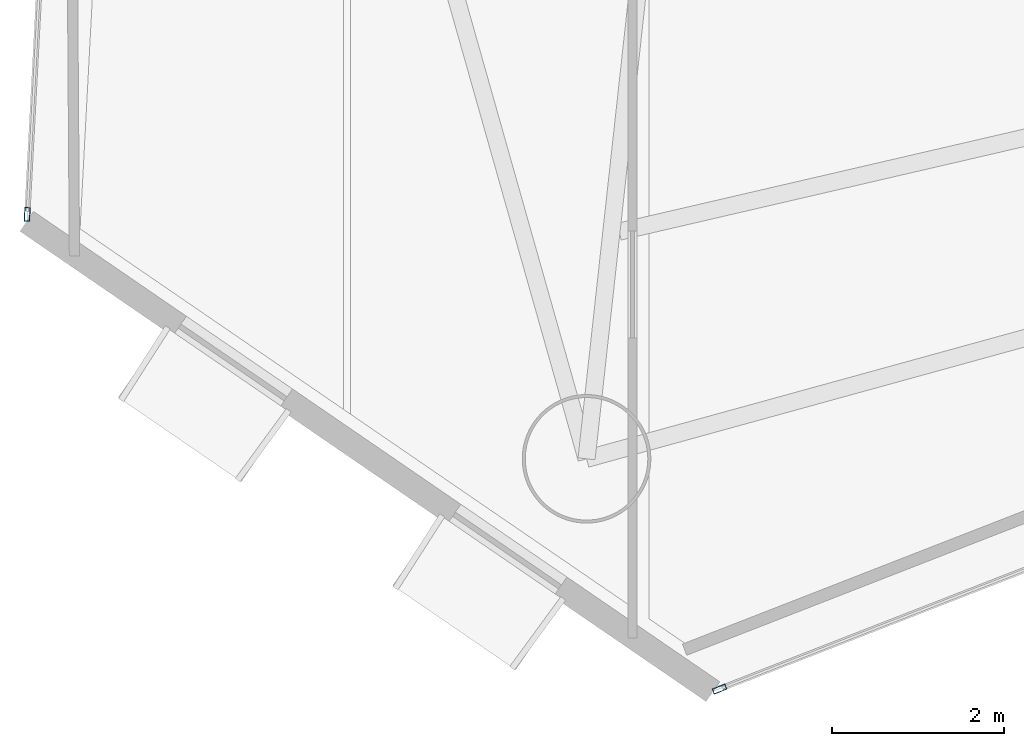
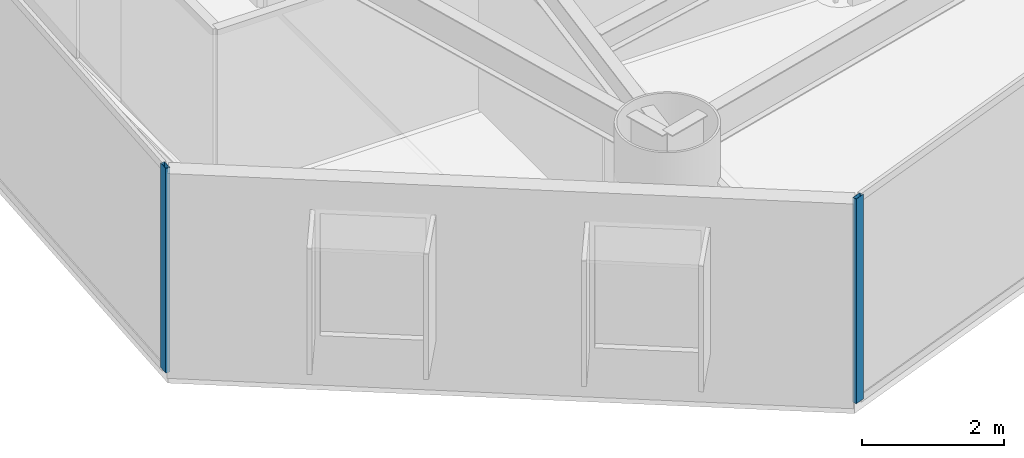
# One storey, part 2 of 21: 2 members, 2 elements without a shape of their own.
"""IFC4 building model written with IfcOpenShell, lengths in metres."""

from ifc_helpers import new_model, si_unit, direction, frame, origin, origin_2d, place, context, subcontext, project, spatial, hollow_rectangle, extrude, material, layer, layer_set, material_profile, profile_set, type_object, element, aggregate, save


model = new_model("IFC4")

# Units and contexts
model_context = context("Model", 3, precision=1e-05, world=origin(), true_north=direction((0.0, 1.0)))
body_context = subcontext(model_context, "Body", "Model", "MODEL_VIEW")
ifc_project = project(units=[si_unit("LENGTHUNIT", "METRE"), si_unit("AREAUNIT", "SQUARE_METRE"), si_unit("VOLUMEUNIT", "CUBIC_METRE"), si_unit("PLANEANGLEUNIT", "RADIAN"), si_unit("MASSUNIT", "GRAM", prefix="KILO")], contexts=[model_context])

# Site, building, storey
site_placement = place(None, origin())
site = spatial("IfcSite", under=ifc_project, at=site_placement, CompositionType="ELEMENT")
building_placement = place(site_placement, origin())
building = spatial("IfcBuilding", under=site, at=building_placement, Name="Qianvela Tower", CompositionType="ELEMENT")
storey_placement = place(building_placement, frame((0.0, 0.0, 131.10009765625)))
storey = spatial("IfcBuildingStorey", under=building, at=storey_placement, Name="L33", CompositionType="ELEMENT", Elevation=131.10009765625)

# Curtain wall, member
ifc_material_1 = material(Name="Anodised Architectural Aluminium and Low-E Glass", Category="aluminium")
ifc_layer = layer(ifc_material_1, 0.169921875)
ifc_layer_set = layer_set([ifc_layer], Name="Anodised Architectural Aluminium and Low-E Glass")
curtain_wall_type = type_object("IfcCurtainWallType", Name="CW-COLIV-Z34", PredefinedType="USERDEFINED", material=ifc_layer_set)
curtain_wall_1_placement = place(storey_placement, origin())
curtain_wall_1 = element("IfcCurtainWall", 1, at=curtain_wall_1_placement, inside=storey, type_object=curtain_wall_type, Name="L33 CW-COLIV-Z34 Curtain Wall 04C", ObjectType="CURTAIN_WALL_SYSTEM", PredefinedType="USERDEFINED")
ifc_material_2 = material(Name="Anodised Architectural Aluminium 6063-T6", Category="aluminium")
ifc_material_profile = material_profile(ifc_material_2, hollow_rectangle(XDim=0.06494140625, YDim=0.159912109375, WallThickness=0.0048828125, at=origin_2d()), Name="ALU-MULL-65x160")
ifc_profile_set = profile_set([ifc_material_profile], Name="Anodised Architectural Aluminium 6063-T6")
member_type = type_object("IfcMemberType", Name="CW-COLIV-Z34-MULL", PredefinedType="MULLION", material=ifc_profile_set)
member_1_placement = place(storey_placement, frame((20.76904296875, 14.759765625, 0.0), z_axis=(0.0, 0.0, 1.0), x_axis=(0.998593219177, -0.053024358685, 0.0)))
member_1 = element("IfcMember", 2, at=member_1_placement, type_object=member_type, Name="CW-4 mullion 2", PredefinedType="MULLION", context=body_context, shape_type="SweptSolid", body=[
    extrude(hollow_rectangle(XDim=0.06494140625, YDim=0.159912109375, WallThickness=0.0048828125, at=origin_2d()), origin(), (0.0, 0.0, 1.0), 3.52001953125),
])
aggregate(curtain_wall_1, [member_1])

curtain_wall_2_placement = place(storey_placement, origin())
curtain_wall_2 = element("IfcCurtainWall", 3, at=curtain_wall_2_placement, inside=storey, type_object=curtain_wall_type, Name="L33 CW-COLIV-Z34 Curtain Wall 06A", ObjectType="CURTAIN_WALL_SYSTEM", PredefinedType="USERDEFINED")
member_2_placement = place(storey_placement, frame((28.84228515625, 9.2236328125, 0.0), z_axis=(0.0, 0.0, 1.0), x_axis=(-0.363463212794, 0.931608551348, 0.0)))
member_2 = element("IfcMember", 4, at=member_2_placement, type_object=member_type, Name="CW-4 mullion 1", PredefinedType="MULLION", context=body_context, shape_type="SweptSolid", body=[
    extrude(hollow_rectangle(XDim=0.06494140625, YDim=0.159912109375, WallThickness=0.0048828125, at=origin_2d()), origin(), (0.0, 0.0, 1.0), 3.52001953125),
])
aggregate(curtain_wall_2, [member_2])

save(model, "model.ifc")
